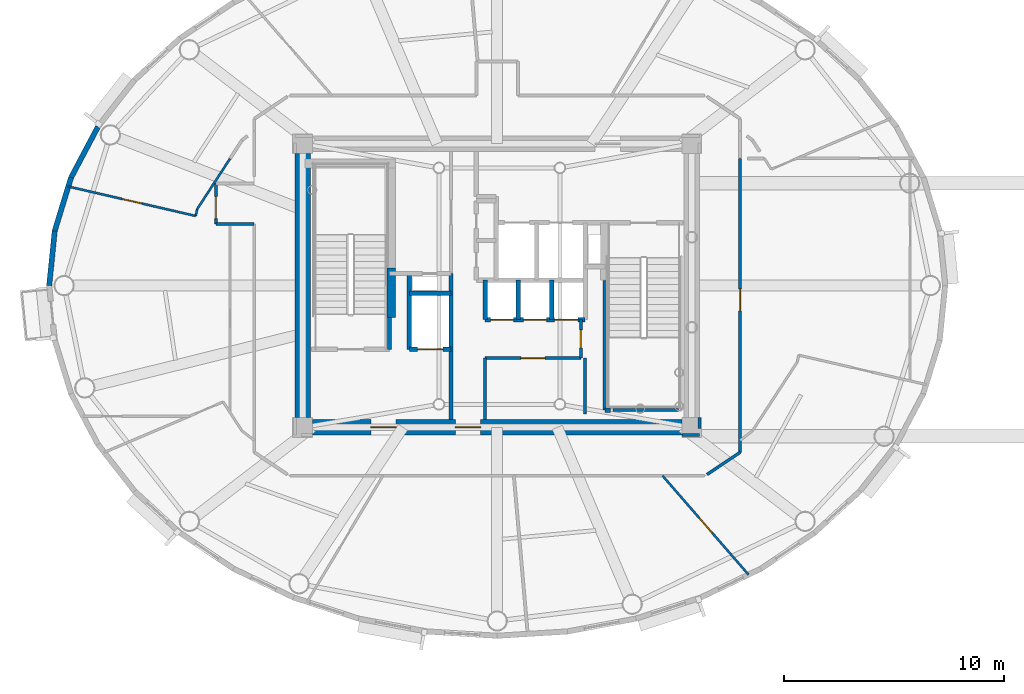
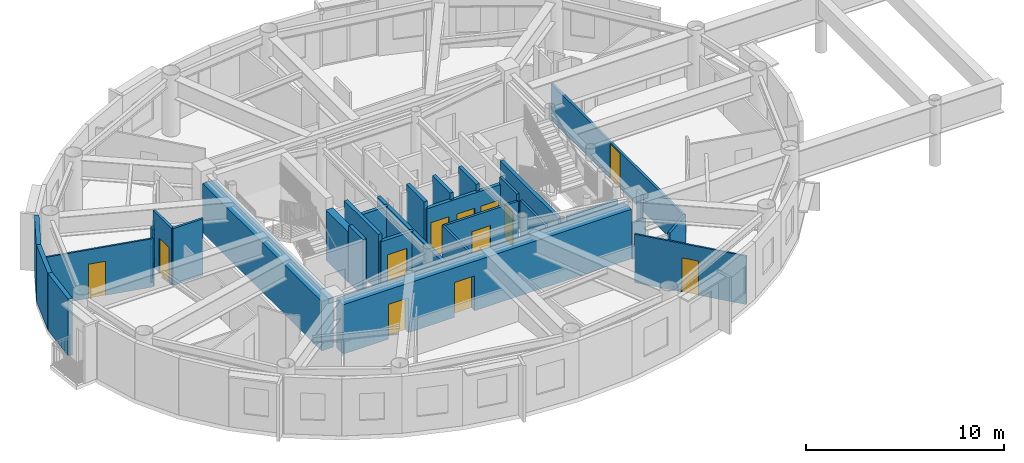
# One storey, part 7 of 16: 32 walls, 12 doors, 12 openings.
"""IFC4 building model written with IfcOpenShell, lengths in metres."""

from ifc_helpers import new_model, si_unit, direction, frame, frame_2d, origin, origin_2d, place, context, subcontext, project, spatial, rectangle, extrude, source, transform, mapped, material, layer, layer_set, type_object, element, fill, save


model = new_model("IFC4")

# Units and contexts
model_context = context("Model", 3, precision=1e-05, world=origin(), true_north=direction((0.0, 1.0)))
body_context = subcontext(model_context, "Body", "Model", "MODEL_VIEW")
ifc_project = project(units=[si_unit("LENGTHUNIT", "METRE"), si_unit("AREAUNIT", "SQUARE_METRE"), si_unit("VOLUMEUNIT", "CUBIC_METRE"), si_unit("PLANEANGLEUNIT", "RADIAN"), si_unit("MASSUNIT", "GRAM", prefix="KILO")], contexts=[model_context])

# Site, building, storey
site_placement = place(None, origin())
site = spatial("IfcSite", under=ifc_project, at=site_placement, CompositionType="ELEMENT")
building_placement = place(site_placement, origin())
building = spatial("IfcBuilding", under=site, at=building_placement, Name="Linh Dai School and Residence Tower", CompositionType="ELEMENT")
storey_placement = place(building_placement, frame((0.0, 0.0, 343.0)))
storey = spatial("IfcBuildingStorey", under=building, at=storey_placement, Name="L85", CompositionType="ELEMENT", Elevation=343.0)

# Walls
ifc_material_1 = material(Name="Precast Concrete B45 (C35/45)", Category="concrete")
ifc_layer_1 = layer(ifc_material_1, 0.239990234375)
ifc_layer_set_1 = layer_set([ifc_layer_1], Name="Precast Concrete B45 (C35/45)")
wall_type_1 = type_object("IfcWallType", Name="EW-TC-240", PredefinedType="SOLIDWALL", material=ifc_layer_set_1)
wall_1_placement = place(storey_placement, frame((16.618896484375, 31.913330078125, 0.0), z_axis=(0.0, 0.0, 1.0), x_axis=(0.467487999989, 0.883999417345, 0.0)))
element("IfcWall", 1, at=wall_1_placement, inside=storey, type_object=wall_type_1, Name="L85 Terracotta Exterior Wall 18", PredefinedType="SOLIDWALL", context=body_context, shape_type="SweptSolid", body=[
    extrude(rectangle(XDim=2.610107421875, YDim=0.239990234375, at=frame_2d((1.30517578125, 0.0))), origin(), (0.0, 0.0, 1.0), 3.5),
])
wall_2_placement = place(storey_placement, frame((15.875, 29.48681640625, 0.0), z_axis=(0.0, 0.0, 1.0), x_axis=(0.293105547213, 0.956080089842, 0.0)))
element("IfcWall", 2, at=wall_2_placement, inside=storey, type_object=wall_type_1, Name="L85 Terracotta Exterior Wall 19", PredefinedType="SOLIDWALL", context=body_context, shape_type="SweptSolid", body=[
    extrude(rectangle(XDim=2.5380859375, YDim=0.239990234375, at=frame_2d((1.26904296875, 0.0))), origin(), (0.0, 0.0, 1.0), 3.5),
])
wall_3_placement = place(storey_placement, frame((15.625, 27.0, 0.0), z_axis=(0.0, 0.0, 1.0), x_axis=(0.100025963401, 0.994984827344, 0.0)))
element("IfcWall", 3, at=wall_3_placement, inside=storey, type_object=wall_type_1, Name="L85 Terracotta Exterior Wall 20", PredefinedType="SOLIDWALL", context=body_context, shape_type="SweptSolid", body=[
    extrude(rectangle(XDim=2.499267578125, YDim=0.239990234375, at=frame_2d((1.24951171875, 0.0))), origin(), (0.0, 0.0, 1.0), 3.5),
])

# Wall, opening, door
ifc_material_2 = material(Name="Autoclaved Aerated Concrete Blockwork", Category="masonry")
ifc_layer_2 = layer(ifc_material_2, 0.135009765625)
ifc_layer_set_2 = layer_set([ifc_layer_2], Name="Autoclaved Aerated Concrete Blockwork")
wall_type_2 = type_object("IfcWallType", Name="IW-CORR-135-EI90", PredefinedType="PARTITIONING", material=ifc_layer_set_2)
wall_4_placement = place(storey_placement, frame((23.199951171875, 29.800048828125, 0.0), z_axis=(0.0, 0.0, 1.0), x_axis=(0.0, 1.0, 0.0)))
wall_4 = element("IfcWall", 4, at=wall_4_placement, inside=storey, type_object=wall_type_2, Name="L85 Interior Partition Wall 006", PredefinedType="PARTITIONING", context=body_context, shape_type="SweptSolid", body=[
    extrude(rectangle(XDim=1.849853515625, YDim=0.135009765625, at=frame_2d((0.9248046875, 0.0))), origin(), (0.0, 0.0, 1.0), 3.5),
])
opening_1_placement = place(wall_4_placement, frame((0.241943359375, 0.0, 0.0)))
opening_1 = element("IfcOpeningElement", 5, at=opening_1_placement, cuts=wall_4, Name="Opening D03", PredefinedType="OPENING", context=body_context, shape_type="SweptSolid", body=[
    extrude(rectangle(XDim=1.0, YDim=2.14990234375, at=origin_2d()), frame((0.5, 0.07763671875, 1.074951171875), z_axis=(0.0, -1.0, 0.0), x_axis=(1.0, 0.0, 0.0)), (0.0, 0.0, 1.0), 0.155029296875),
])
ifc_material_3 = material(Name="Fire-Rated Solid Timber Entrance Door", Category="wood")
door_type_1 = type_object("IfcDoorType", Name="DR-FLAT-1000x2150-FD60S", OperationType="NOTDEFINED", PredefinedType="DOOR", material=ifc_material_3)
shared_shape_1 = source(origin(), body_context, "Body", "SweptSolid", [
    extrude(rectangle(XDim=1.0, YDim=2.14990234375, at=origin_2d()), frame((0.5, 0.02490234375, 1.074951171875), z_axis=(0.0, -1.0, 0.0), x_axis=(1.0, 0.0, 0.0)), (0.0, 0.0, 1.0), 0.050048828125),
])
door_1_placement = place(opening_1_placement, origin())
door_1 = element("IfcDoor", 6, at=door_1_placement, inside=storey, type_object=door_type_1, Name="L85 U8501 Apartment Entrance Door", OperationType="SINGLE_SWING_LEFT", OverallHeight=2.14990234375, OverallWidth=1.0, PredefinedType="DOOR", context=body_context, shape_type="MappedRepresentation", body=[
    mapped(shared_shape_1, transform((0.0, 0.0, 0.0), x_axis=(1.0, 0.0, 0.0), y_axis=(0.0, 1.0, 0.0), z_axis=(0.0, 0.0, 1.0), scale=1.0)),
])
fill(opening_1, door_1)

# Walls
wall_5_placement = place(storey_placement, frame((23.199951171875, 29.800048828125, 0.0), z_axis=(0.0, 0.0, 1.0), x_axis=(1.0, 0.0, 0.0)))
element("IfcWall", 7, at=wall_5_placement, inside=storey, type_object=wall_type_2, Name="L85 Interior Partition Wall 007", PredefinedType="PARTITIONING", context=body_context, shape_type="SweptSolid", body=[
    extrude(rectangle(XDim=1.75, YDim=0.135009765625, at=frame_2d((0.875, 0.0))), origin(), (0.0, 0.0, 1.0), 3.5),
])
wall_6_placement = place(storey_placement, frame((35.449951171875, 20.89990234375, 0.0), z_axis=(0.0, 0.0, 1.0), x_axis=(0.0, 1.0, 0.0)))
element("IfcWall", 8, at=wall_6_placement, inside=storey, type_object=wall_type_2, Name="L85 Interior Partition Wall 037", PredefinedType="PARTITIONING", context=body_context, shape_type="SweptSolid", body=[
    extrude(rectangle(XDim=2.800048828125, YDim=0.135009765625, at=frame_2d((1.39990234375, 0.0))), origin(), (0.0, 0.0, 1.0), 3.0849609375),
])

# Wall, opening, door
wall_7_placement = place(storey_placement, frame((35.449951171875, 23.699951171875, 0.0), z_axis=(0.0, 0.0, 1.0), x_axis=(1.0, 0.0, 0.0)))
wall_7 = element("IfcWall", 9, at=wall_7_placement, inside=storey, type_object=wall_type_2, Name="L85 Interior Partition Wall 038", PredefinedType="PARTITIONING", context=body_context, shape_type="SweptSolid", body=[
    extrude(rectangle(XDim=4.35009765625, YDim=0.135009765625, at=frame_2d((2.175048828125, 0.0))), origin(), (0.0, 0.0, 1.0), 3.0849609375),
])
opening_2_placement = place(wall_7_placement, frame((1.625, 0.0, 0.0)))
opening_2 = element("IfcOpeningElement", 10, at=opening_2_placement, cuts=wall_7, Name="Opening D07", PredefinedType="OPENING", context=body_context, shape_type="SweptSolid", body=[
    extrude(rectangle(XDim=1.10009765625, YDim=2.14990234375, at=origin_2d()), frame((0.550048828125, 0.07763671875, 1.074951171875), z_axis=(0.0, -1.0, 0.0), x_axis=(1.0, 0.0, 0.0)), (0.0, 0.0, 1.0), 0.155029296875),
])
ifc_material_4 = material(Name="Fire-Rated Louvred Steel Plant Door", Category="steel")
door_type_2 = type_object("IfcDoorType", Name="DR-PLT-1100x2150-FD60S", OperationType="NOTDEFINED", PredefinedType="DOOR", material=ifc_material_4)
shared_shape_2 = source(origin(), body_context, "Body", "SweptSolid", [
    extrude(rectangle(XDim=1.10009765625, YDim=2.14990234375, at=origin_2d()), frame((0.550048828125, 0.02490234375, 1.074951171875), z_axis=(0.0, -1.0, 0.0), x_axis=(1.0, 0.0, 0.0)), (0.0, 0.0, 1.0), 0.050048828125),
])
door_2_placement = place(opening_2_placement, origin())
door_2 = element("IfcDoor", 11, at=door_2_placement, inside=storey, type_object=door_type_2, Name="L85 Tenant Metering and BMS Room Door", OperationType="SINGLE_SWING_LEFT", OverallHeight=2.14990234375, OverallWidth=1.10009765625, PredefinedType="DOOR", context=body_context, shape_type="MappedRepresentation", body=[
    mapped(shared_shape_2, transform((0.0, 0.0, 0.0), x_axis=(1.0, 0.0, 0.0), y_axis=(0.0, 1.0, 0.0), z_axis=(0.0, 0.0, 1.0), scale=1.0)),
])
fill(opening_2, door_2)

wall_8_placement = place(storey_placement, frame((39.800048828125, 23.699951171875, 0.0), z_axis=(0.0, 0.0, 1.0), x_axis=(0.0, 1.0, 0.0)))
wall_8 = element("IfcWall", 12, at=wall_8_placement, inside=storey, type_object=wall_type_2, Name="L85 Interior Partition Wall 049", PredefinedType="PARTITIONING", context=body_context, shape_type="SweptSolid", body=[
    extrude(rectangle(XDim=1.75, YDim=0.135009765625, at=frame_2d((0.875, 0.0))), origin(), (0.0, 0.0, 1.0), 3.5),
])
opening_3_placement = place(wall_8_placement, frame((0.465087890625, 0.0, 0.0)))
opening_3 = element("IfcOpeningElement", 13, at=opening_3_placement, cuts=wall_8, Name="Opening D06", PredefinedType="OPENING", context=body_context, shape_type="SweptSolid", body=[
    extrude(rectangle(XDim=0.820068359375, YDim=2.10009765625, at=origin_2d()), frame((0.41015625, 0.07763671875, 1.050048828125), z_axis=(0.0, -1.0, 0.0), x_axis=(1.0, 0.0, 0.0)), (0.0, 0.0, 1.0), 0.155029296875),
])
ifc_material_5 = material(Name="Moisture-Resistant Timber Bathroom Door", Category="wood")
door_type_3 = type_object("IfcDoorType", Name="DR-WET-820x2100", OperationType="NOTDEFINED", PredefinedType="DOOR", material=ifc_material_5)
shared_shape_3 = source(origin(), body_context, "Body", "SweptSolid", [
    extrude(rectangle(XDim=0.820068359375, YDim=2.10009765625, at=origin_2d()), frame((0.41015625, 0.02490234375, 1.050048828125), z_axis=(0.0, -1.0, 0.0), x_axis=(1.0, 0.0, 0.0)), (0.0, 0.0, 1.0), 0.050048828125),
])
door_3_placement = place(opening_3_placement, origin())
door_3 = element("IfcDoor", 14, at=door_3_placement, inside=storey, type_object=door_type_3, Name="L85 Core Housekeeping Store Door", OperationType="SINGLE_SWING_LEFT", OverallHeight=2.10009765625, OverallWidth=0.820068359375, PredefinedType="DOOR", context=body_context, shape_type="MappedRepresentation", body=[
    mapped(shared_shape_3, transform((0.0, 0.0, 0.0), x_axis=(1.0, 0.0, 0.0), y_axis=(0.0, 1.0, 0.0), z_axis=(0.0, 0.0, 1.0), scale=1.0)),
])
fill(opening_3, door_3)

# Wall
wall_9_placement = place(storey_placement, frame((45.541259765625, 18.408203125, 0.0), z_axis=(0.0, 0.0, 1.0), x_axis=(0.831180227396, 0.556003084151, 0.0)))
element("IfcWall", 15, at=wall_9_placement, inside=storey, type_object=wall_type_2, Name="L85 Interior Partition Wall 056", PredefinedType="PARTITIONING", context=body_context, shape_type="SweptSolid", body=[
    extrude(rectangle(XDim=1.815185546875, YDim=0.135009765625, at=frame_2d((0.90771484375, 0.0))), origin(), (0.0, 0.0, 1.0), 2.284912109375),
])

# Wall, opening, door
wall_10_placement = place(storey_placement, frame((47.050048828125, 19.41748046875, 0.0), z_axis=(0.0, 0.0, 1.0), x_axis=(0.0, 1.0, 0.0)))
wall_10 = element("IfcWall", 16, at=wall_10_placement, inside=storey, type_object=wall_type_2, Name="L85 Interior Partition Wall 058", PredefinedType="PARTITIONING", context=body_context, shape_type="SweptSolid", body=[
    extrude(rectangle(XDim=13.36962890625, YDim=0.135009765625, at=frame_2d((6.684814453125, 0.0))), origin(), (0.0, 0.0, 1.0), 2.25),
])
opening_4_placement = place(wall_10_placement, frame((6.43408203125, 0.0, 0.0)))
opening_4 = element("IfcOpeningElement", 17, at=opening_4_placement, cuts=wall_10, Name="Opening D03", PredefinedType="OPENING", context=body_context, shape_type="SweptSolid", body=[
    extrude(rectangle(XDim=1.0, YDim=2.14990234375, at=origin_2d()), frame((0.5, 0.07763671875, 1.074951171875), z_axis=(0.0, -1.0, 0.0), x_axis=(1.0, 0.0, 0.0)), (0.0, 0.0, 1.0), 0.155029296875),
])
door_4_placement = place(opening_4_placement, origin())
door_4 = element("IfcDoor", 18, at=door_4_placement, inside=storey, type_object=door_type_1, Name="L85 U8502 Apartment Entrance Door", OperationType="SINGLE_SWING_RIGHT", OverallHeight=2.14990234375, OverallWidth=1.0, PredefinedType="DOOR", context=body_context, shape_type="MappedRepresentation", body=[
    mapped(shared_shape_1, transform((0.0, 0.0, 0.0), x_axis=(1.0, 0.0, 0.0), y_axis=(0.0, 1.0, 0.0), z_axis=(0.0, 0.0, 1.0), scale=1.0)),
])
fill(opening_4, door_4)

# Walls
wall_11_placement = place(storey_placement, frame((44.239990234375, 21.330078125, 0.0), z_axis=(0.0, 0.0, 1.0), x_axis=(-1.0, 0.0, 0.0)))
element("IfcWall", 19, at=wall_11_placement, inside=storey, type_object=wall_type_2, Name="L85 Interior Partition Wall 068", PredefinedType="PARTITIONING", context=body_context, shape_type="SweptSolid", body=[
    extrude(rectangle(XDim=2.97998046875, YDim=0.135009765625, at=frame_2d((1.489990234375, 0.0))), origin(), (0.0, 0.0, 1.0), 3.034912109375),
])
wall_12_placement = place(storey_placement, frame((40.0, 23.699951171875, 0.0), z_axis=(0.0, 0.0, 1.0), x_axis=(0.0, -1.0, 0.0)))
element("IfcWall", 20, at=wall_12_placement, inside=storey, type_object=wall_type_2, Name="L85 Interior Partition Wall 069", PredefinedType="PARTITIONING", context=body_context, shape_type="SweptSolid", body=[
    extrude(rectangle(XDim=2.5400390625, YDim=0.135009765625, at=frame_2d((1.27001953125, 0.0))), origin(), (0.0, 0.0, 1.0), 3.034912109375),
])
wall_13_placement = place(storey_placement, frame((44.409912109375, 20.199951171875, 0.0), z_axis=(0.0, 0.0, 1.0), x_axis=(1.0, 0.0, 0.0)))
element("IfcWall", 21, at=wall_13_placement, inside=storey, type_object=wall_type_2, Name="L85 Interior Partition Wall 078", PredefinedType="PARTITIONING", context=body_context, shape_type="SweptSolid", body=[
    extrude(rectangle(XDim=0.7900390625, YDim=0.135009765625, at=frame_2d((0.39501953125, 0.0))), origin(), (0.0, 0.0, 1.0), 2.25),
])
wall_14_placement = place(storey_placement, frame((45.199951171875, 20.507568359375, 0.0), z_axis=(0.0, 0.0, 1.0), x_axis=(0.0, 1.0, 0.0)))
element("IfcWall", 22, at=wall_14_placement, inside=storey, type_object=wall_type_2, Name="L85 Interior Partition Wall 079", PredefinedType="PARTITIONING", context=body_context, shape_type="SweptSolid", body=[
    extrude(rectangle(XDim=0.482421875, YDim=0.135009765625, at=frame_2d((0.2412109375, 0.0))), origin(), (0.0, 0.0, 1.0), 3.5),
])
ifc_material_6 = material(Name="Concrete B45 (C35/45)", Category="concrete")
ifc_layer_3 = layer(ifc_material_6, 0.199951171875)
ifc_layer_set_3 = layer_set([ifc_layer_3], Name="Concrete B45 (C35/45)")
wall_type_3 = type_object("IfcWallType", Name="IW-SHAFT-200-EI120", PredefinedType="PARTITIONING", material=ifc_layer_set_3)
wall_15_placement = place(storey_placement, frame((31.10009765625, 24.10009765625, 0.0), z_axis=(0.0, 0.0, 1.0), x_axis=(0.0, 1.0, 0.0)))
element("IfcWall", 23, at=wall_15_placement, inside=storey, type_object=wall_type_3, Name="L85 Interior Partition Wall 021", PredefinedType="PARTITIONING", context=body_context, shape_type="SweptSolid", body=[
    extrude(rectangle(XDim=1.43994140625, YDim=0.199951171875, at=frame_2d((0.719970703125, 0.0))), origin(), (0.0, 0.0, 1.0), 3.5),
])
wall_16_placement = place(storey_placement, frame((32.0, 24.10009765625, 0.0), z_axis=(0.0, 0.0, 1.0), x_axis=(0.0, 1.0, 0.0)))
element("IfcWall", 24, at=wall_16_placement, inside=storey, type_object=wall_type_3, Name="L85 Interior Partition Wall 023", PredefinedType="PARTITIONING", context=body_context, shape_type="SweptSolid", body=[
    extrude(rectangle(XDim=3.449951171875, YDim=0.199951171875, at=frame_2d((1.72509765625, 0.0))), origin(), (0.0, 0.0, 1.0), 3.5),
])

# Wall, opening, door
wall_17_placement = place(storey_placement, frame((32.0, 24.10009765625, 0.0), z_axis=(0.0, 0.0, 1.0), x_axis=(1.0, 0.0, 0.0)))
wall_17 = element("IfcWall", 25, at=wall_17_placement, inside=storey, type_object=wall_type_3, Name="L85 Interior Partition Wall 024", PredefinedType="PARTITIONING", context=body_context, shape_type="SweptSolid", body=[
    extrude(rectangle(XDim=1.89990234375, YDim=0.199951171875, at=frame_2d((0.949951171875, 0.0))), origin(), (0.0, 0.0, 1.0), 3.0849609375),
])
opening_5_placement = place(wall_17_placement, frame((0.375, 0.0, 0.0)))
opening_5 = element("IfcOpeningElement", 26, at=opening_5_placement, cuts=wall_17, Name="Opening LD-FF2", PredefinedType="OPENING", context=body_context, shape_type="SweptSolid", body=[
    extrude(rectangle(XDim=1.14990234375, YDim=2.14990234375, at=origin_2d()), frame((0.574951171875, 0.10986328125, 1.074951171875), z_axis=(0.0, -1.0, 0.0), x_axis=(1.0, 0.0, 0.0)), (0.0, 0.0, 1.0), 0.219970703125),
])
ifc_material_7 = material(Name="Fire-Rated Stainless Steel Firefighting Lift Door", Category="steel")
door_type_4 = type_object("IfcDoorType", Name="DR-LD-FF-1150x2150-FD120", OperationType="DOUBLE_DOOR_SLIDING", PredefinedType="USERDEFINED", material=ifc_material_7)
shared_shape_4 = source(origin(), body_context, "Body", "SweptSolid", [
    extrude(rectangle(XDim=1.14990234375, YDim=2.14990234375, at=origin_2d()), frame((0.574951171875, 0.02490234375, 1.074951171875), z_axis=(0.0, -1.0, 0.0), x_axis=(1.0, 0.0, 0.0)), (0.0, 0.0, 1.0), 0.050048828125),
])
door_5_placement = place(opening_5_placement, origin())
door_5 = element("IfcDoor", 27, at=door_5_placement, inside=storey, type_object=door_type_4, Name="L85 Lift FF2 Sliding Landing Door", ObjectType="LANDING DOOR", OperationType="DOUBLE_DOOR_SLIDING", OverallHeight=2.14990234375, OverallWidth=1.14990234375, PredefinedType="USERDEFINED", context=body_context, shape_type="MappedRepresentation", body=[
    mapped(shared_shape_4, transform((0.0, 0.0, 0.0), x_axis=(1.0, 0.0, 0.0), y_axis=(0.0, 1.0, 0.0), z_axis=(0.0, 0.0, 1.0), scale=1.0)),
])
fill(opening_5, door_5)

# Walls
wall_18_placement = place(storey_placement, frame((32.0, 26.64990234375, 0.0), z_axis=(0.0, 0.0, 1.0), x_axis=(1.0, 0.0, 0.0)))
element("IfcWall", 28, at=wall_18_placement, inside=storey, type_object=wall_type_3, Name="L85 Interior Partition Wall 025", PredefinedType="PARTITIONING", context=body_context, shape_type="SweptSolid", body=[
    extrude(rectangle(XDim=1.89990234375, YDim=0.199951171875, at=frame_2d((0.949951171875, 0.0))), origin(), (0.0, 0.0, 1.0), 3.0849609375),
])
wall_19_placement = place(storey_placement, frame((33.89990234375, 20.89990234375, 0.0), z_axis=(0.0, 0.0, 1.0), x_axis=(0.0, 1.0, 0.0)))
element("IfcWall", 29, at=wall_19_placement, inside=storey, type_object=wall_type_3, Name="L85 Interior Partition Wall 026", PredefinedType="PARTITIONING", context=body_context, shape_type="SweptSolid", body=[
    extrude(rectangle(XDim=6.650146484375, YDim=0.199951171875, at=frame_2d((3.3251953125, 0.0))), origin(), (0.0, 0.0, 1.0), 3.0849609375),
])
wall_20_placement = place(storey_placement, frame((35.449951171875, 25.449951171875, 0.0), z_axis=(0.0, 0.0, 1.0), x_axis=(0.0, 1.0, 0.0)))
element("IfcWall", 30, at=wall_20_placement, inside=storey, type_object=wall_type_3, Name="L85 Interior Partition Wall 039", PredefinedType="PARTITIONING", context=body_context, shape_type="SweptSolid", body=[
    extrude(rectangle(XDim=1.800048828125, YDim=0.199951171875, at=frame_2d((0.89990234375, 0.0))), origin(), (0.0, 0.0, 1.0), 3.5),
])

# Wall, openings, doors
wall_21_placement = place(storey_placement, frame((35.449951171875, 25.449951171875, 0.0), z_axis=(0.0, 0.0, 1.0), x_axis=(1.0, 0.0, 0.0)))
wall_21 = element("IfcWall", 31, at=wall_21_placement, inside=storey, type_object=wall_type_3, Name="L85 Interior Partition Wall 040", PredefinedType="PARTITIONING", context=body_context, shape_type="SweptSolid", body=[
    extrude(rectangle(XDim=4.550048828125, YDim=0.199951171875, at=frame_2d((2.27490234375, 0.0))), origin(), (0.0, 0.0, 1.0), 3.0849609375),
])
opening_6_placement = place(wall_21_placement, frame((0.25, 0.0, 0.0)))
opening_6 = element("IfcOpeningElement", 32, at=opening_6_placement, cuts=wall_21, Name="Opening LD-PL7", PredefinedType="OPENING", context=body_context, shape_type="SweptSolid", body=[
    extrude(rectangle(XDim=1.050048828125, YDim=2.14990234375, at=origin_2d()), frame((0.52490234375, 0.10986328125, 1.074951171875), z_axis=(0.0, -1.0, 0.0), x_axis=(1.0, 0.0, 0.0)), (0.0, 0.0, 1.0), 0.219970703125),
])
opening_7_placement = place(wall_21_placement, frame((1.7451171875, 0.0, 0.0)))
opening_7 = element("IfcOpeningElement", 33, at=opening_7_placement, cuts=wall_21, Name="Opening LD-PL8", PredefinedType="OPENING", context=body_context, shape_type="SweptSolid", body=[
    extrude(rectangle(XDim=1.050048828125, YDim=2.14990234375, at=origin_2d()), frame((0.52490234375, 0.10986328125, 1.074951171875), z_axis=(0.0, -1.0, 0.0), x_axis=(1.0, 0.0, 0.0)), (0.0, 0.0, 1.0), 0.219970703125),
])
opening_8_placement = place(wall_21_placement, frame((3.1650390625, 0.0, 0.0)))
opening_8 = element("IfcOpeningElement", 34, at=opening_8_placement, cuts=wall_21, Name="Opening LD-PL9", PredefinedType="OPENING", context=body_context, shape_type="SweptSolid", body=[
    extrude(rectangle(XDim=1.050048828125, YDim=2.14990234375, at=origin_2d()), frame((0.52490234375, 0.10986328125, 1.074951171875), z_axis=(0.0, -1.0, 0.0), x_axis=(1.0, 0.0, 0.0)), (0.0, 0.0, 1.0), 0.219970703125),
])
ifc_material_8 = material(Name="Brushed Stainless Steel Lift Landing Door", Category="steel")
door_type_5 = type_object("IfcDoorType", Name="DR-LD-PASS-1050x2150", OperationType="DOUBLE_DOOR_SLIDING", PredefinedType="USERDEFINED", material=ifc_material_8)
shared_shape_5 = source(origin(), body_context, "Body", "SweptSolid", [
    extrude(rectangle(XDim=1.050048828125, YDim=2.14990234375, at=origin_2d()), frame((0.52490234375, 0.02490234375, 1.074951171875), z_axis=(0.0, -1.0, 0.0), x_axis=(1.0, 0.0, 0.0)), (0.0, 0.0, 1.0), 0.050048828125),
])
door_6_placement = place(opening_6_placement, origin())
door_6 = element("IfcDoor", 35, at=door_6_placement, inside=storey, type_object=door_type_5, Name="L85 Lift PL7 Sliding Landing Door", ObjectType="LANDING DOOR", OperationType="DOUBLE_DOOR_SLIDING", OverallHeight=2.14990234375, OverallWidth=1.050048828125, PredefinedType="USERDEFINED", context=body_context, shape_type="MappedRepresentation", body=[
    mapped(shared_shape_5, transform((0.0, 0.0, 0.0), x_axis=(1.0, 0.0, 0.0), y_axis=(0.0, 1.0, 0.0), z_axis=(0.0, 0.0, 1.0), scale=1.0)),
])
fill(opening_6, door_6)
door_7_placement = place(opening_7_placement, origin())
door_7 = element("IfcDoor", 36, at=door_7_placement, inside=storey, type_object=door_type_5, Name="L85 Lift PL8 Sliding Landing Door", ObjectType="LANDING DOOR", OperationType="DOUBLE_DOOR_SLIDING", OverallHeight=2.14990234375, OverallWidth=1.050048828125, PredefinedType="USERDEFINED", context=body_context, shape_type="MappedRepresentation", body=[
    mapped(shared_shape_5, transform((0.0, 0.0, 0.0), x_axis=(1.0, 0.0, 0.0), y_axis=(0.0, 1.0, 0.0), z_axis=(0.0, 0.0, 1.0), scale=1.0)),
])
fill(opening_7, door_7)
door_8_placement = place(opening_8_placement, origin())
door_8 = element("IfcDoor", 37, at=door_8_placement, inside=storey, type_object=door_type_5, Name="L85 Lift PL9 Sliding Landing Door", ObjectType="LANDING DOOR", OperationType="DOUBLE_DOOR_SLIDING", OverallHeight=2.14990234375, OverallWidth=1.050048828125, PredefinedType="USERDEFINED", context=body_context, shape_type="MappedRepresentation", body=[
    mapped(shared_shape_5, transform((0.0, 0.0, 0.0), x_axis=(1.0, 0.0, 0.0), y_axis=(0.0, 1.0, 0.0), z_axis=(0.0, 0.0, 1.0), scale=1.0)),
])
fill(opening_8, door_8)

# Walls
for number, where, z_axis, x_axis, name in (
    (38, (36.9599609375, 25.449951171875, 0.0), (0.0, 0.0, 1.0), (0.0, 1.0, 0.0), "L85 Interior Partition Wall 046"),
    (39, (38.47998046875, 25.449951171875, 0.0), (0.0, 0.0, 1.0), (0.0, 1.0, 0.0), "L85 Interior Partition Wall 048"),
):
    element("IfcWall", number, at=place(storey_placement, frame(where, z_axis=z_axis, x_axis=x_axis)), inside=storey, type_object=wall_type_3, Name=name, PredefinedType="PARTITIONING", context=body_context, shape_type="SweptSolid", body=[
        extrude(rectangle(XDim=1.800048828125, YDim=0.199951171875, at=frame_2d((0.89990234375, 0.0))), origin(), (0.0, 0.0, 1.0), 3.5),
    ])
wall_22_placement = place(storey_placement, frame((40.89990234375, 21.330078125, 0.0), z_axis=(0.0, 0.0, 1.0), x_axis=(0.0, 1.0, 0.0)))
element("IfcWall", 40, at=wall_22_placement, inside=storey, type_object=wall_type_3, Name="L85 Interior Partition Wall 052", PredefinedType="PARTITIONING", context=body_context, shape_type="SweptSolid", body=[
    extrude(rectangle(XDim=5.909912109375, YDim=0.199951171875, at=frame_2d((2.955078125, 0.0))), origin(), (0.0, 0.0, 1.0), 3.034912109375),
])
wall_23_placement = place(storey_placement, frame((40.89990234375, 21.330078125, 0.0), z_axis=(0.0, 0.0, 1.0), x_axis=(1.0, 0.0, 0.0)))
element("IfcWall", 41, at=wall_23_placement, inside=storey, type_object=wall_type_3, Name="L85 Interior Partition Wall 053", PredefinedType="PARTITIONING", context=body_context, shape_type="SweptSolid", body=[
    extrude(rectangle(XDim=0.25, YDim=0.199951171875, at=frame_2d((0.125, 0.0))), origin(), (0.0, 0.0, 1.0), 3.034912109375),
])

# Wall, opening, door
ifc_material_9 = material(Name="Gypsum Plasterboard Acoustic Stud Partition", Category="masonry")
ifc_layer_4 = layer(ifc_material_9, 0.10009765625)
ifc_layer_set_4 = layer_set([ifc_layer_4], Name="Gypsum Plasterboard Acoustic Stud Partition")
wall_type_4 = type_object("IfcWallType", Name="IW-UNIT-100", PredefinedType="PARTITIONING", material=ifc_layer_set_4)
wall_24_placement = place(storey_placement, frame((16.48828125, 31.504638671875, 0.0), z_axis=(0.0, 0.0, 1.0), x_axis=(0.974373225384, -0.224937363847, 0.0)))
wall_24 = element("IfcWall", 42, at=wall_24_placement, inside=storey, type_object=wall_type_4, Name="L85 Interior Partition Wall 001", PredefinedType="PARTITIONING", context=body_context, shape_type="SweptSolid", body=[
    extrude(rectangle(XDim=5.954345703125, YDim=0.10009765625, at=frame_2d((2.97705078125, 0.0))), origin(), (0.0, 0.0, 1.0), 2.985107421875),
])
opening_9_placement = place(wall_24_placement, frame((2.527099609375, 0.0, 0.0)))
opening_9 = element("IfcOpeningElement", 43, at=opening_9_placement, cuts=wall_24, Name="Opening D05", PredefinedType="OPENING", context=body_context, shape_type="SweptSolid", body=[
    extrude(rectangle(XDim=0.89990234375, YDim=2.10009765625, at=origin_2d()), frame((0.449951171875, 0.06005859375, 1.050048828125), z_axis=(0.0, -1.0, 0.0), x_axis=(1.0, 0.0, 0.0)), (0.0, 0.0, 1.0), 0.1201171875),
])
ifc_material_10 = material(Name="Engineered Timber Internal Door", Category="wood")
door_type_6 = type_object("IfcDoorType", Name="DR-INT-900x2100", OperationType="NOTDEFINED", PredefinedType="DOOR", material=ifc_material_10)
shared_shape_6 = source(origin(), body_context, "Body", "SweptSolid", [
    extrude(rectangle(XDim=0.89990234375, YDim=2.10009765625, at=origin_2d()), frame((0.449951171875, 0.02490234375, 1.050048828125), z_axis=(0.0, -1.0, 0.0), x_axis=(1.0, 0.0, 0.0)), (0.0, 0.0, 1.0), 0.050048828125),
])
door_9_placement = place(opening_9_placement, origin())
door_9 = element("IfcDoor", 44, at=door_9_placement, inside=storey, type_object=door_type_6, Name="L85 Apartment U8501 Principal Bedroom 2 Door", OperationType="SINGLE_SWING_RIGHT", OverallHeight=2.10009765625, OverallWidth=0.89990234375, PredefinedType="DOOR", context=body_context, shape_type="MappedRepresentation", body=[
    mapped(shared_shape_6, transform((0.0, 0.0, 0.0), x_axis=(1.0, 0.0, 0.0), y_axis=(0.0, 1.0, 0.0), z_axis=(0.0, 0.0, 1.0), scale=1.0)),
])
fill(opening_9, door_9)

# Walls
wall_25_placement = place(storey_placement, frame((22.2900390625, 30.165283203125, 0.0), z_axis=(0.0, 0.0, 1.0), x_axis=(0.198359507495, 0.980129331153, 0.0)))
element("IfcWall", 45, at=wall_25_placement, inside=storey, type_object=wall_type_4, Name="L85 Interior Partition Wall 004", PredefinedType="PARTITIONING", context=body_context, shape_type="SweptSolid", body=[
    extrude(rectangle(XDim=0.31396484375, YDim=0.10009765625, at=frame_2d((0.156982421875, 0.0))), origin(), (0.0, 0.0, 1.0), 3.5),
])
wall_26_placement = place(storey_placement, frame((22.352294921875, 30.472900390625, 0.0), z_axis=(0.0, 0.0, 1.0), x_axis=(0.545326673802, 0.838223609093, 0.0)))
element("IfcWall", 46, at=wall_26_placement, inside=storey, type_object=wall_type_4, Name="L85 Interior Partition Wall 005", PredefinedType="PARTITIONING", context=body_context, shape_type="SweptSolid", body=[
    extrude(rectangle(XDim=2.739013671875, YDim=0.10009765625, at=frame_2d((1.36962890625, 0.0))), origin(), (0.0, 0.0, 1.0), 2.284912109375),
])

# Wall, opening, door
wall_27_placement = place(storey_placement, frame((43.519287109375, 18.35009765625, 0.0), z_axis=(0.0, 0.0, 1.0), x_axis=(0.656046983359, -0.754720051162, 0.0)))
wall_27 = element("IfcWall", 47, at=wall_27_placement, inside=storey, type_object=wall_type_4, Name="L85 Interior Partition Wall 055", PredefinedType="PARTITIONING", context=body_context, shape_type="SweptSolid", body=[
    extrude(rectangle(XDim=5.96533203125, YDim=0.10009765625, at=frame_2d((2.982666015625, 0.0))), origin(), (0.0, 0.0, 1.0), 2.985107421875),
])
opening_10_placement = place(wall_27_placement, frame((2.53271484375, 0.0, 0.0)))
opening_10 = element("IfcOpeningElement", 48, at=opening_10_placement, cuts=wall_27, Name="Opening D05", PredefinedType="OPENING", context=body_context, shape_type="SweptSolid", body=[
    extrude(rectangle(XDim=0.89990234375, YDim=2.10009765625, at=origin_2d()), frame((0.449951171875, 0.06005859375, 1.050048828125), z_axis=(0.0, -1.0, 0.0), x_axis=(1.0, 0.0, 0.0)), (0.0, 0.0, 1.0), 0.1201171875),
])
door_10_placement = place(opening_10_placement, origin())
door_10 = element("IfcDoor", 49, at=door_10_placement, inside=storey, type_object=door_type_6, Name="L85 Apartment U8502 Principal Bedroom 1 Door", OperationType="SINGLE_SWING_RIGHT", OverallHeight=2.10009765625, OverallWidth=0.89990234375, PredefinedType="DOOR", context=body_context, shape_type="MappedRepresentation", body=[
    mapped(shared_shape_6, transform((0.0, 0.0, 0.0), x_axis=(1.0, 0.0, 0.0), y_axis=(0.0, 1.0, 0.0), z_axis=(0.0, 0.0, 1.0), scale=1.0)),
])
fill(opening_10, door_10)

# Wall
ifc_layer_5 = layer(ifc_material_6, 0.39990234375)
ifc_layer_set_5 = layer_set([ifc_layer_5], Name="Concrete B45 (C35/45)")
wall_type_5 = type_object("IfcWallType", Name="WL-CORE400", PredefinedType="SHEAR", material=ifc_layer_set_5)
wall_28_placement = place(storey_placement, frame((31.179931640625, 25.550048828125, 0.0), z_axis=(0.0, 0.0, 1.0), x_axis=(0.0, 1.0, 0.0)))
element("IfcWall", 50, at=wall_28_placement, inside=storey, type_object=wall_type_5, Name="L85 Internal Core Shear Wall IW", PredefinedType="SHEAR", context=body_context, shape_type="SweptSolid", body=[
    extrude(rectangle(XDim=2.25, YDim=0.39990234375, at=frame_2d((1.125, 0.0))), origin(), (0.0, 0.0, 1.0), 3.10009765625),
])

# Wall, openings, doors
ifc_layer_6 = layer(ifc_material_6, 0.699951171875)
ifc_layer_set_6 = layer_set([ifc_layer_6], Name="Concrete B45 (C35/45)")
wall_type_6 = type_object("IfcWallType", Name="WL-CORE700", PredefinedType="SHEAR", material=ifc_layer_set_6)
wall_29_placement = place(storey_placement, frame((44.39990234375, 20.550048828125, 0.0), z_axis=(0.0, 0.0, 1.0), x_axis=(-1.0, 0.0, 0.0)))
wall_29 = element("IfcWall", 51, at=wall_29_placement, inside=storey, type_object=wall_type_6, Name="L85 Central Core Shear Wall S", PredefinedType="SHEAR", context=body_context, shape_type="SweptSolid", body=[
    extrude(rectangle(XDim=16.7998046875, YDim=0.699951171875, at=frame_2d((8.39990234375, 0.0))), origin(), (0.0, 0.0, 1.0), 3.050048828125),
])
opening_11_placement = place(wall_29_placement, frame((13.0, 0.0, 0.0)))
opening_11 = element("IfcOpeningElement", 52, at=opening_11_placement, cuts=wall_29, Name="Opening D02", PredefinedType="OPENING", context=body_context, shape_type="SweptSolid", body=[
    extrude(rectangle(XDim=1.14990234375, YDim=2.14990234375, at=origin_2d()), frame((0.574951171875, 0.35986328125, 1.074951171875), z_axis=(0.0, -1.0, 0.0), x_axis=(1.0, 0.0, 0.0)), (0.0, 0.0, 1.0), 0.719970703125),
])
opening_12_placement = place(wall_29_placement, frame((9.14990234375, 0.0, 0.0)))
opening_12 = element("IfcOpeningElement", 53, at=opening_12_placement, cuts=wall_29, Name="Opening D02", PredefinedType="OPENING", context=body_context, shape_type="SweptSolid", body=[
    extrude(rectangle(XDim=1.14990234375, YDim=2.14990234375, at=origin_2d()), frame((0.574951171875, 0.35986328125, 1.074951171875), z_axis=(0.0, -1.0, 0.0), x_axis=(1.0, 0.0, 0.0)), (0.0, 0.0, 1.0), 0.719970703125),
])
ifc_material_11 = material(Name="Fire-Rated Glazed Steel Lobby Door", Category="steel")
door_type_7 = type_object("IfcDoorType", Name="DR-LOBBY-1150x2150-FD90S", OperationType="NOTDEFINED", PredefinedType="DOOR", material=ifc_material_11)
shared_shape_7 = source(origin(), body_context, "Body", "SweptSolid", [
    extrude(rectangle(XDim=1.14990234375, YDim=2.14990234375, at=origin_2d()), frame((0.574951171875, 0.02490234375, 1.074951171875), z_axis=(0.0, -1.0, 0.0), x_axis=(1.0, 0.0, 0.0)), (0.0, 0.0, 1.0), 0.050048828125),
])
door_11_placement = place(opening_11_placement, origin())
door_11 = element("IfcDoor", 54, at=door_11_placement, inside=storey, type_object=door_type_7, Name="L85 Firefighting Lobby Door", OperationType="SINGLE_SWING_RIGHT", OverallHeight=2.14990234375, OverallWidth=1.14990234375, PredefinedType="DOOR", context=body_context, shape_type="MappedRepresentation", body=[
    mapped(shared_shape_7, transform((0.0, 0.0, 0.0), x_axis=(1.0, 0.0, 0.0), y_axis=(0.0, 1.0, 0.0), z_axis=(0.0, 0.0, 1.0), scale=1.0)),
])
fill(opening_11, door_11)
door_12_placement = place(opening_12_placement, origin())
door_12 = element("IfcDoor", 55, at=door_12_placement, inside=storey, type_object=door_type_7, Name="L85 Passenger Foyer Access Door", OperationType="SINGLE_SWING_RIGHT", OverallHeight=2.14990234375, OverallWidth=1.14990234375, PredefinedType="DOOR", context=body_context, shape_type="MappedRepresentation", body=[
    mapped(shared_shape_7, transform((0.0, 0.0, 0.0), x_axis=(1.0, 0.0, 0.0), y_axis=(0.0, 1.0, 0.0), z_axis=(0.0, 0.0, 1.0), scale=1.0)),
])
fill(opening_12, door_12)

# Wall
wall_30_placement = place(storey_placement, frame((27.14990234375, 21.0, 0.0), z_axis=(0.0, 0.0, 1.0), x_axis=(0.0, 1.0, 0.0)))
element("IfcWall", 56, at=wall_30_placement, inside=storey, type_object=wall_type_6, Name="L85 Central Core Shear Wall W", PredefinedType="SHEAR", context=body_context, shape_type="SweptSolid", body=[
    extrude(rectangle(XDim=12.0, YDim=0.699951171875, at=frame_2d((6.0, 0.0))), origin(), (0.0, 0.0, 1.0), 3.050048828125),
])

save(model, "model.ifc")
